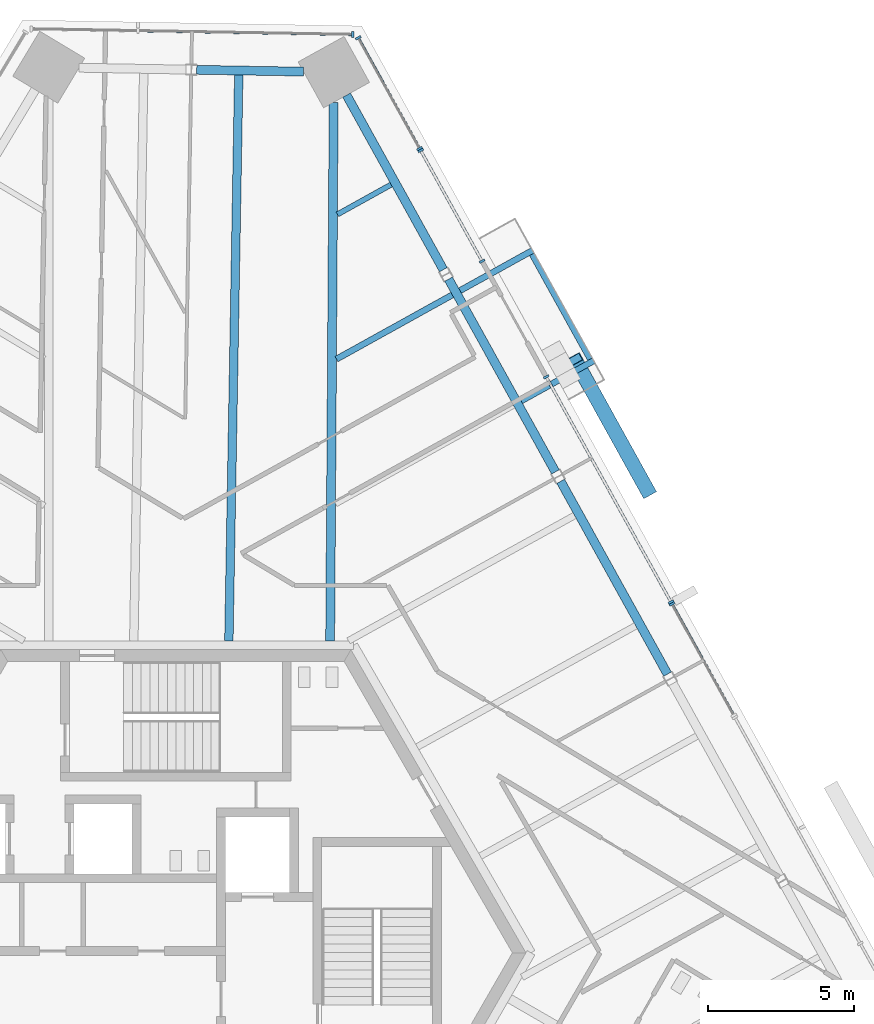
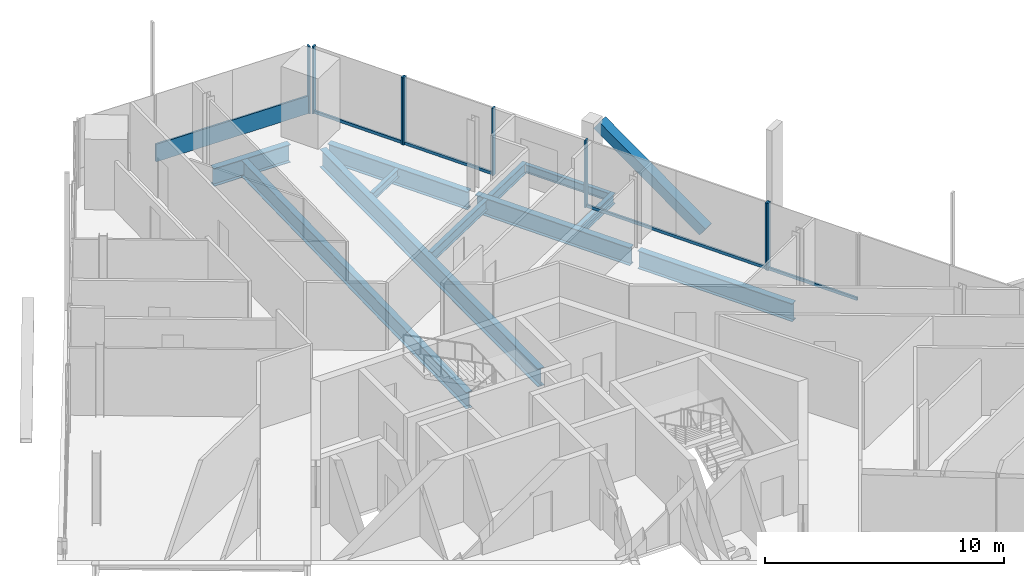
# One storey, part 9 of 21: 14 members, 11 beams, 5 elements without a shape of their own.
"""IFC4 building model written with IfcOpenShell, lengths in metres."""

import ifcopenshell
import ifcopenshell.guid

model = None  # the IFC model being written
_history = None  # IfcOwnerHistory: only IFC2X3 demands one
_inside = {}  # id of a spatial element -> (the spatial element, [elements in it])
_under = {}  # id of a project, library or spatial element -> (it, [spatial elements below it])
_declared = {}  # id of a project -> (the project, [libraries it declares])
_typed = {}  # id of a type object -> (the type object, [elements of that type])
_made_of = {}  # id of a material, layer set ... -> (it, [elements and type objects made of it])


def new_model(schema):
    """Start an empty IFC model of exactly this schema.

    Asked for "IFC4X3", IfcOpenShell would pick the latest addendum, in which some entities
    have other attributes; the version numbers below select the first issue.
    IFC2X3 requires an IfcOwnerHistory on every rooted entity: one is made here for all.
    """
    global model, _history
    if schema == "IFC4X3":
        model = ifcopenshell.file(schema_version=(4, 3, 0, 0))
    else:
        model = ifcopenshell.file(schema=schema)
    _inside.clear()
    _under.clear()
    _declared.clear()
    _typed.clear()
    _made_of.clear()
    _history = None
    if model.schema == "IFC2X3":
        org = make("IfcOrganization", Name="unknown")
        user = make(
            "IfcPersonAndOrganization",
            ThePerson=make("IfcPerson", FamilyName="unknown"),
            TheOrganization=org,
        )
        app = make(
            "IfcApplication",
            ApplicationDeveloper=org,
            Version="unknown",
            ApplicationFullName="unknown",
            ApplicationIdentifier="unknown",
        )
        _history = make(
            "IfcOwnerHistory",
            OwningUser=user,
            OwningApplication=app,
            ChangeAction="ADDED",
            CreationDate=0,
        )
    return model


def make(cls, **values):
    """One entity of the class cls with the attributes given. An attribute that is None is left unset."""
    return model.create_entity(
        cls, **{name: value for name, value in values.items() if value is not None}
    )


def rooted(cls, **values):
    """An entity with a GlobalId (a new one), such as an element, a storey or a relation."""
    return make(cls, GlobalId=ifcopenshell.guid.new(), OwnerHistory=_history, **values)


def si_unit(unit_type, name, prefix=None):
    """IfcSIUnit, for example si_unit("LENGTHUNIT", "METRE", prefix="MILLI")."""
    return make("IfcSIUnit", UnitType=unit_type, Prefix=prefix, Name=name)


def assignment(units):
    """IfcUnitAssignment: the units of a project."""
    return None if units is None else make("IfcUnitAssignment", Units=units)


def point(xyz):
    """IfcCartesianPoint."""
    return None if xyz is None else make("IfcCartesianPoint", Coordinates=xyz)


def direction(xyz):
    """IfcDirection."""
    return None if xyz is None else make("IfcDirection", DirectionRatios=xyz)


def frame(location, z_axis=None, x_axis=None):
    """IfcAxis2Placement3D, a coordinate frame: its origin and axes. An axis left out is left unset."""
    return make(
        "IfcAxis2Placement3D",
        Location=point(location),
        Axis=direction(z_axis),
        RefDirection=direction(x_axis),
    )


def frame_2d(location, x_axis=None):
    """IfcAxis2Placement2D, a coordinate frame in the plane: its origin and x axis."""
    return make(
        "IfcAxis2Placement2D", Location=point(location), RefDirection=direction(x_axis)
    )


def origin():
    """The frame at (0, 0, 0) with its axes left unset."""
    return frame((0.0, 0.0, 0.0))


def origin_2d():
    """The frame at (0, 0) in the plane with its x axis left unset."""
    return frame_2d((0.0, 0.0))


def place(relative_to, where):
    """IfcLocalPlacement: puts the frame where relative to a parent placement (None: the world)."""
    return make(
        "IfcLocalPlacement", PlacementRelTo=relative_to, RelativePlacement=where
    )


def context(
    kind, dimensions, precision=None, world=None, true_north=None, identifier=None
):
    """IfcGeometricRepresentationContext, for example the 3D "Model" context."""
    return make(
        "IfcGeometricRepresentationContext",
        ContextIdentifier=identifier,
        ContextType=kind,
        CoordinateSpaceDimension=dimensions,
        Precision=precision,
        WorldCoordinateSystem=world,
        TrueNorth=true_north,
    )


def subcontext(parent, identifier, kind, view, scale=None):
    """IfcGeometricRepresentationSubContext, for example "Body" below "Model"."""
    return make(
        "IfcGeometricRepresentationSubContext",
        ContextIdentifier=identifier,
        ContextType=kind,
        ParentContext=parent,
        TargetScale=scale,
        TargetView=view,
    )


def project(units=None, contexts=None):
    """IfcProject with its units and contexts."""
    return rooted(
        "IfcProject",
        Name="project",
        RepresentationContexts=contexts,
        UnitsInContext=assignment(units),
    )


def spatial(cls, under=None, at=None, **own):
    """A site, building, storey or space (cls), placed at a placement, below another one or the project."""
    s = rooted(cls, ObjectPlacement=at, **own)
    if under is not None:
        _under.setdefault(under.id(), (under, []))[1].append(s)
    return s


def profile(cls, at=None, kind="AREA", **sizes):
    """A parametric profile (cls). Its sizes go by their IFC names, for example OverallWidth=200.0."""
    return make(cls, ProfileType=kind, Position=at, **sizes)


def rectangle(**sizes):
    """IfcRectangleProfileDef."""
    return profile("IfcRectangleProfileDef", **sizes)


def hollow_rectangle(**sizes):
    """IfcRectangleHollowProfileDef."""
    return profile("IfcRectangleHollowProfileDef", **sizes)


def i_section(**sizes):
    """IfcIShapeProfileDef."""
    return profile("IfcIShapeProfileDef", **sizes)


def extrude(swept, where, along, depth):
    """IfcExtrudedAreaSolid: the profile swept, set in the frame where, extruded along a direction by depth."""
    return make(
        "IfcExtrudedAreaSolid",
        SweptArea=swept,
        Position=where,
        ExtrudedDirection=direction(along),
        Depth=depth,
    )


def shape(context_of_items, identifier, shape_type, items):
    """IfcShapeRepresentation: the items that make up one representation, for example the "Body"."""
    return make(
        "IfcShapeRepresentation",
        ContextOfItems=context_of_items,
        RepresentationIdentifier=identifier,
        RepresentationType=shape_type,
        Items=items,
    )


def source(mapping_origin, context_of_items, identifier, shape_type, items):
    """IfcRepresentationMap: a shape defined once, which mapped items show again and again."""
    return make(
        "IfcRepresentationMap",
        MappingOrigin=mapping_origin,
        MappedRepresentation=shape(context_of_items, identifier, shape_type, items),
    )


def transform(
    local_origin,
    x_axis=None,
    y_axis=None,
    z_axis=None,
    scale=None,
    scale2=None,
    scale3=None,
    uniform=True,
):
    """IfcCartesianTransformationOperator3D, or its non-uniform kind. x_axis, y_axis, z_axis: its Axis1, 2, 3."""
    if uniform:
        return make(
            "IfcCartesianTransformationOperator3D",
            Axis1=direction(x_axis),
            Axis2=direction(y_axis),
            LocalOrigin=point(local_origin),
            Scale=scale,
            Axis3=direction(z_axis),
        )
    return make(
        "IfcCartesianTransformationOperator3DnonUniform",
        Axis1=direction(x_axis),
        Axis2=direction(y_axis),
        LocalOrigin=point(local_origin),
        Scale=scale,
        Axis3=direction(z_axis),
        Scale2=scale2,
        Scale3=scale3,
    )


def mapped(mapping_source, mapping_target):
    """IfcMappedItem: shows the shape of a source again, moved by a transform."""
    return make(
        "IfcMappedItem", MappingSource=mapping_source, MappingTarget=mapping_target
    )


def material(Name=None, Category=None):
    """IfcMaterial."""
    return make("IfcMaterial", Name=Name, Category=Category)


def material_profile(
    of_material, cross_section, Name=None, Category=None, Priority=None
):
    """IfcMaterialProfile: a cross section and its material."""
    return make(
        "IfcMaterialProfile",
        Name=Name,
        Material=of_material,
        Profile=cross_section,
        Priority=Priority,
        Category=Category,
    )


def profile_set(profiles, Name=None, composite=None):
    """IfcMaterialProfileSet."""
    return make(
        "IfcMaterialProfileSet",
        Name=Name,
        MaterialProfiles=profiles,
        CompositeProfile=composite,
    )


def made_of(thing, what):
    """Note that an element or type object is made of a material, layer set ...; save() writes the relation."""
    if what is not None:
        _made_of.setdefault(what.id(), (what, []))[1].append(thing)
    return thing


def type_object(cls, material=None, **own):
    """A type object (cls), such as IfcWallType, which elements share."""
    return made_of(rooted(cls, **own), material)


def element(
    cls,
    number,
    at=None,
    inside=None,
    cuts=None,
    type_object=None,
    material=None,
    context=None,
    identifier="Body",
    shape_type=None,
    held_by="IfcProductDefinitionShape",
    body=None,
    shapes=None,
    **own,
):
    """One element of the class cls, such as IfcWall. Its Tag is "e" and its number.

    at: its placement. inside: the storey or other place that contains it. cuts: it is an
    opening in that element (IfcRelVoidsElement). A single representation is given by context,
    identifier, shape_type and body (its items); several are given by shapes. held_by: the class
    of the entity that holds the representations. save() writes the other relations.
    """
    e = rooted(cls, Tag="e%d" % number, ObjectPlacement=at, **own)
    if body is not None:
        shapes = [shape(context, identifier, shape_type, body)]
    if shapes is not None:
        e.Representation = make(held_by, Representations=shapes)
    if inside is not None:
        _inside.setdefault(inside.id(), (inside, []))[1].append(e)
    if cuts is not None:
        rooted(
            "IfcRelVoidsElement", RelatingBuildingElement=cuts, RelatedOpeningElement=e
        )
    if type_object is not None:
        _typed.setdefault(type_object.id(), (type_object, []))[1].append(e)
    return made_of(e, material)


def aggregate(whole, parts):
    """IfcRelAggregates: a whole, such as a stair, and the parts it consists of."""
    return rooted("IfcRelAggregates", RelatingObject=whole, RelatedObjects=parts)


def save(model, path):
    """Write the relations noted so far, then the file.

    IfcRelAggregates (storeys below a building ...), IfcRelContainedInSpatialStructure (elements
    in a storey), IfcRelDefinesByType, IfcRelAssociatesMaterial and IfcRelDeclares: one each for
    every whole, place, type object, material and project.
    """
    for whole, parts in _under.values():
        aggregate(whole, parts)
    for where, things in _inside.values():
        rooted(
            "IfcRelContainedInSpatialStructure",
            RelatedElements=things,
            RelatingStructure=where,
        )
    for kind, things in _typed.values():
        rooted("IfcRelDefinesByType", RelatedObjects=things, RelatingType=kind)
    for what, things in _made_of.values():
        rooted("IfcRelAssociatesMaterial", RelatedObjects=things, RelatingMaterial=what)
    for by, libraries in _declared.values():
        rooted("IfcRelDeclares", RelatingContext=by, RelatedDefinitions=libraries)
    model.write(path)


model = new_model("IFC4")

# Units and contexts
model_context = context("Model", 3, precision=1e-05, world=origin(), true_north=direction((0.0, 1.0)))
body_context = subcontext(model_context, "Body", "Model", "MODEL_VIEW")
ifc_project = project(units=[si_unit("LENGTHUNIT", "METRE"), si_unit("AREAUNIT", "SQUARE_METRE"), si_unit("VOLUMEUNIT", "CUBIC_METRE"), si_unit("PLANEANGLEUNIT", "RADIAN"), si_unit("MASSUNIT", "GRAM", prefix="KILO")], contexts=[model_context])

# Site, building, storey
site_placement = place(None, origin())
site = spatial("IfcSite", under=ifc_project, at=site_placement, CompositionType="ELEMENT")
building_placement = place(site_placement, origin())
building = spatial("IfcBuilding", under=site, at=building_placement, Name="Triune Harvest Tower", CompositionType="ELEMENT")
storey_placement = place(building_placement, frame((0.0, 0.0, 201.5)))
storey = spatial("IfcBuildingStorey", under=building, at=storey_placement, Name="L52", CompositionType="ELEMENT", Elevation=201.5)

# Curtain wall, member
ifc_material_1 = material(Name="Aluminium bronze anodised", Category="aluminium")
curtain_wall_type_1 = type_object("IfcCurtainWallType", Name="CW-10 Balcony window wall with insulated spandrel infill", PredefinedType="NOTDEFINED", material=ifc_material_1)
curtain_wall_1_placement = place(storey_placement, origin())
curtain_wall_1 = element("IfcCurtainWall", 1, at=curtain_wall_1_placement, inside=storey, type_object=curtain_wall_type_1, Name="CW-10 B5-F1 L52 run 2")
ifc_material_2 = material(Name="Aluminium bronze anodised", Category="aluminium")
ifc_material_profile_1 = material_profile(ifc_material_2, rectangle(XDim=0.090087890625, YDim=0.14990234375, at=origin_2d()), Name="TR-6 transom 90 x 150")
ifc_profile_set_1 = profile_set([ifc_material_profile_1], Name="Aluminium bronze anodised")
member_type_1 = type_object("IfcMemberType", Name="TR-6 transom 90 x 150", PredefinedType="USERDEFINED", material=ifc_profile_set_1)
member_1_placement = place(storey_placement, frame((10.479248046875, 23.744873046875, 0.074951171875), z_axis=(-0.484792254935, 0.874629332663, 0.0), x_axis=(-0.874629332663, -0.484792254935, 0.0)))
member_1 = element("IfcMember", 2, at=member_1_placement, type_object=member_type_1, Name="CW-10 transom B5-F1 2.1", ObjectType="TRANSOM", PredefinedType="USERDEFINED", context=body_context, shape_type="SweptSolid", body=[
    extrude(rectangle(XDim=0.090087890625, YDim=0.14990234375, at=origin_2d()), origin(), (0.0, 0.0, 1.0), 4.265380859375),
])

# Beams
ifc_material_3 = material(Name="Steel ASTM A992 Gr 50", Category="steel")
ifc_material_profile_2 = material_profile(ifc_material_3, i_section(OverallWidth=0.3046875, OverallDepth=0.914306640625, WebThickness=0.0166015625, FlangeThickness=0.02587890625, at=origin_2d()), Name="W36x160")
ifc_profile_set_2 = profile_set([ifc_material_profile_2], Name="Steel ASTM A992 Gr 50")
beam_type_1 = type_object("IfcBeamType", Name="SB-1 Spandrel beam W36x160", PredefinedType="SPANDREL", material=ifc_profile_set_2)
shared_shape_1 = source(origin(), body_context, "Body", "SweptSolid", [
    extrude(i_section(OverallWidth=0.3046875, OverallDepth=0.914306640625, WebThickness=0.0166015625, FlangeThickness=0.02587890625, at=origin_2d()), origin(), (0.0, 0.0, 1.0), 6.841796875),
])
beam_1_placement = place(storey_placement, frame((9.16943359375, 23.421875, -0.6171875), z_axis=(-0.484833781575, 0.87460631386, 0.0), x_axis=(-0.87460631386, -0.484833781575, 0.0)))
element("IfcBeam", 3, at=beam_1_placement, inside=storey, type_object=beam_type_1, Name="beam/L52/SB6", PredefinedType="SPANDREL", context=body_context, shape_type="MappedRepresentation", body=[
    mapped(shared_shape_1, transform((0.0, 0.0, 0.0), scale=1.0)),
])
shared_shape_2 = source(origin(), body_context, "Body", "SweptSolid", [
    extrude(i_section(OverallWidth=0.3046875, OverallDepth=0.914306640625, WebThickness=0.0166015625, FlangeThickness=0.02587890625, at=origin_2d()), origin(), (0.0, 0.0, 1.0), 7.556396484375),
])
for number, where, z_axis, x_axis, name in (
    (4, (16.855712890625, 9.555419921875, -0.6171875), (-0.484806011206, 0.874621707654, 0.0), (-0.874621707654, -0.484806011206, 0.0), "beam/L52/SB4"),
    (5, (13.0126953125, 16.488525390625, -0.6171875), (-0.484830726301, 0.874608007529, 0.0), (-0.874608007529, -0.484830726301, 0.0), "beam/L52/SB5"),
):
    element("IfcBeam", number, at=place(storey_placement, frame(where, z_axis=z_axis, x_axis=x_axis)), inside=storey, type_object=beam_type_1, Name=name, PredefinedType="SPANDREL", context=body_context, shape_type="MappedRepresentation", body=[
        mapped(shared_shape_2, transform((0.0, 0.0, 0.0), scale=1.0)),
    ])
shared_shape_3 = source(origin(), body_context, "Body", "SweptSolid", [
    extrude(i_section(OverallWidth=0.3046875, OverallDepth=0.914306640625, WebThickness=0.0166015625, FlangeThickness=0.02587890625, at=origin_2d()), origin(), (0.0, 0.0, 1.0), 3.66357421875),
])
beam_2_placement = place(storey_placement, frame((4.376953125, 30.211181640625, -0.6171875), z_axis=(-0.999847573959, 0.017459348466, 0.0), x_axis=(-0.017459348466, -0.999847573959, 0.0)))
element("IfcBeam", 6, at=beam_2_placement, inside=storey, type_object=beam_type_1, Name="beam/L52/SB7", PredefinedType="SPANDREL", context=body_context, shape_type="MappedRepresentation", body=[
    mapped(shared_shape_3, transform((0.0, 0.0, 0.0), scale=1.0)),
])
ifc_material_4 = material(Name="Steel ASTM A992 Gr 50", Category="steel")
ifc_material_profile_3 = material_profile(ifc_material_4, i_section(OverallWidth=0.307373046875, OverallDepth=0.922119140625, WebThickness=0.018310546875, FlangeThickness=0.030029296875, at=origin_2d()), Name="W36x182")
ifc_profile_set_3 = profile_set([ifc_material_profile_3], Name="Steel ASTM A992 Gr 50")
beam_type_2 = type_object("IfcBeamType", Name="HG-2 Hip girder W36x182", PredefinedType="BEAM", material=ifc_profile_set_3)
shared_shape_4 = source(origin(), body_context, "Body", "SweptSolid", [
    extrude(i_section(OverallWidth=0.307373046875, OverallDepth=0.922119140625, WebThickness=0.018310546875, FlangeThickness=0.030029296875, at=origin_2d()), origin(), (0.0, 0.0, 1.0), 18.463623046875),
])
beam_3_placement = place(storey_placement, frame((5.409423828125, 29.16015625, -0.62109375), z_axis=(-0.006518869748, -0.999978751943, 0.0), x_axis=(0.999978751943, -0.006518869748, 0.0)))
element("IfcBeam", 7, at=beam_3_placement, inside=storey, type_object=beam_type_2, Name="beam/L52/HG3", PredefinedType="BEAM", context=body_context, shape_type="MappedRepresentation", body=[
    mapped(shared_shape_4, transform((0.0, 0.0, 0.0), scale=1.0)),
])
ifc_material_5 = material(Name="Steel ASTM A992 Gr 50", Category="steel")
ifc_material_profile_4 = material_profile(ifc_material_5, i_section(OverallWidth=0.2099609375, OverallDepth=0.535888671875, WebThickness=0.010986328125, FlangeThickness=0.017333984375, at=origin_2d()), Name="W21x68")
ifc_profile_set_4 = profile_set([ifc_material_profile_4], Name="Steel ASTM A992 Gr 50")
beam_type_3 = type_object("IfcBeamType", Name="JT-2 Floor joist W21x68", PredefinedType="JOIST", material=ifc_profile_set_4)
shared_shape_5 = source(origin(), body_context, "Body", "SweptSolid", [
    extrude(i_section(OverallWidth=0.2099609375, OverallDepth=0.535888671875, WebThickness=0.010986328125, FlangeThickness=0.017333984375, at=origin_2d()), origin(), (0.0, 0.0, 1.0), 4.538818359375),
])
beam_4_placement = place(storey_placement, frame((9.475341796875, 22.555419921875, -0.427978515625), z_axis=(-0.874621193693, -0.484806938423, 0.0), x_axis=(0.484806938423, -0.874621193693, 0.0)))
element("IfcBeam", 8, at=beam_4_placement, inside=storey, type_object=beam_type_3, Name="beam/L52/JT9", PredefinedType="JOIST", context=body_context, shape_type="MappedRepresentation", body=[
    mapped(shared_shape_5, transform((0.0, 0.0, 0.0), scale=1.0)),
])
ifc_material_6 = material(Name="Steel ASTM A992 Gr 50", Category="steel")
ifc_material_profile_5 = material_profile(ifc_material_6, i_section(OverallWidth=0.180908203125, OverallDepth=0.41650390625, WebThickness=0.010986328125, FlangeThickness=0.01806640625, at=origin_2d()), Name="W16x57")
ifc_profile_set_5 = profile_set([ifc_material_profile_5], Name="Steel ASTM A992 Gr 50")
beam_type_4 = type_object("IfcBeamType", Name="JT-1 Floor joist W16x57", PredefinedType="JOIST", material=ifc_profile_set_5)
shared_shape_6 = source(origin(), body_context, "Body", "SweptSolid", [
    extrude(i_section(OverallWidth=0.180908203125, OverallDepth=0.41650390625, WebThickness=0.010986328125, FlangeThickness=0.01806640625, at=origin_2d()), origin(), (0.0, 0.0, 1.0), 2.10498046875),
])
beam_5_placement = place(storey_placement, frame((7.379150390625, 26.33740234375, -0.368408203125), z_axis=(-0.874621898411, -0.484805667067, 0.0), x_axis=(0.484805667067, -0.874621898411, 0.0)))
element("IfcBeam", 9, at=beam_5_placement, inside=storey, type_object=beam_type_4, Name="beam/L52/JT10", PredefinedType="JOIST", context=body_context, shape_type="MappedRepresentation", body=[
    mapped(shared_shape_6, transform((0.0, 0.0, 0.0), scale=1.0)),
])
ifc_material_7 = material(Name="Steel ASTM A992 Gr 50", Category="steel")
ifc_material_profile_6 = material_profile(ifc_material_7, i_section(OverallWidth=0.2919921875, OverallDepth=0.8408203125, WebThickness=0.0146484375, FlangeThickness=0.021728515625, at=origin_2d()), Name="W33x130")
ifc_profile_set_6 = profile_set([ifc_material_profile_6], Name="Steel ASTM A992 Gr 50")
beam_type_5 = type_object("IfcBeamType", Name="JT-6 Floor joist W33x130", PredefinedType="JOIST", material=ifc_profile_set_6)
shared_shape_7 = source(origin(), body_context, "Body", "SweptSolid", [
    extrude(i_section(OverallWidth=0.2919921875, OverallDepth=0.8408203125, WebThickness=0.0146484375, FlangeThickness=0.021728515625, at=origin_2d()), origin(), (0.0, 0.0, 1.0), 19.403564453125),
])
beam_6_placement = place(storey_placement, frame((2.155029296875, 30.09765625, -0.580322265625), z_axis=(-0.017451567023, -0.999847709808, 0.0), x_axis=(0.999847709808, -0.017451567023, 0.0)))
element("IfcBeam", 10, at=beam_6_placement, inside=storey, type_object=beam_type_5, Name="beam/L52/JT11", PredefinedType="JOIST", context=body_context, shape_type="MappedRepresentation", body=[
    mapped(shared_shape_7, transform((0.0, 0.0, 0.0), scale=1.0)),
])

# Member
ifc_material_8 = material(Name="Steel ASTM A572 Gr 50", Category="steel")
ifc_material_profile_7 = material_profile(ifc_material_8, hollow_rectangle(XDim=0.5, YDim=0.5, WallThickness=0.030029296875, at=origin_2d()), Name="Box 500x500x30")
ifc_profile_set_7 = profile_set([ifc_material_profile_7], Name="Steel ASTM A572 Gr 50")
member_type_2 = type_object("IfcMemberType", Name="BR-3 Brace Box 500x500x30", PredefinedType="BRACE", material=ifc_profile_set_7)
shared_shape_8 = source(origin(), body_context, "Body", "SweptSolid", [
    extrude(hollow_rectangle(XDim=0.5, YDim=0.5, WallThickness=0.030029296875, at=origin_2d()), origin(), (0.0, 0.0, 1.0), 6.302978515625),
])
member_2_placement = place(storey_placement, frame((16.190673828125, 15.81298828125, 0.0), z_axis=(-0.397957445463, 0.717903766226, 0.571177777963), x_axis=(-0.874610982048, -0.484825360395, 0.0)))
element("IfcMember", 11, at=member_2_placement, inside=storey, type_object=member_type_2, Name="brace/B5-F1/d1/7", PredefinedType="BRACE", context=body_context, shape_type="MappedRepresentation", body=[
    mapped(shared_shape_8, transform((0.0, 0.0, 0.0), scale=1.0)),
])

# Curtain wall, member
ifc_material_9 = material(Name="Aluminium bronze anodised", Category="aluminium")
curtain_wall_type_2 = type_object("IfcCurtainWallType", Name="CW-1 Tower stick curtain wall", PredefinedType="NOTDEFINED", material=ifc_material_9)
curtain_wall_2_placement = place(storey_placement, origin())
curtain_wall_2 = element("IfcCurtainWall", 12, at=curtain_wall_2_placement, inside=storey, type_object=curtain_wall_type_2, Name="CW-1 B5-F2 L52 run 1")
ifc_material_10 = material(Name="Aluminium bronze anodised", Category="aluminium")
ifc_material_profile_8 = material_profile(ifc_material_10, rectangle(XDim=0.199951171875, YDim=0.074951171875, at=origin_2d()), Name="MU-1 mullion 75 x 200")
ifc_profile_set_8 = profile_set([ifc_material_profile_8], Name="Aluminium bronze anodised")
member_type_3 = type_object("IfcMemberType", Name="MU-1 mullion 75 x 200", PredefinedType="MULLION", material=ifc_profile_set_8)
shared_shape_9 = source(origin(), body_context, "Body", "SweptSolid", [
    extrude(rectangle(XDim=0.199951171875, YDim=0.074951171875, at=origin_2d()), origin(), (0.0, 0.0, 1.0), 3.43994140625),
])
member_3_placement = place(storey_placement, frame((6.06298828125, 31.484130859375, 0.0), z_axis=(0.0, 0.0, 1.0), x_axis=(-0.017446318452, -0.999847801404, 0.0)))
member_3 = element("IfcMember", 13, at=member_3_placement, type_object=member_type_3, Name="CW-1 mullion B5-F2 1.1", PredefinedType="MULLION", context=body_context, shape_type="MappedRepresentation", body=[
    mapped(shared_shape_9, transform((0.0, 0.0, 0.0), scale=1.0)),
])

ifc_material_11 = material(Name="Aluminium bronze anodised", Category="aluminium")
curtain_wall_type_3 = type_object("IfcCurtainWallType", Name="CW-6 Balcony window wall", PredefinedType="NOTDEFINED", material=ifc_material_11)
curtain_wall_3_placement = place(storey_placement, origin())
curtain_wall_3 = element("IfcCurtainWall", 14, at=curtain_wall_3_placement, inside=storey, type_object=curtain_wall_type_3, Name="CW-6 B5-F1 L52 run 2001")
ifc_material_12 = material(Name="Aluminium bronze anodised", Category="aluminium")
ifc_material_profile_9 = material_profile(ifc_material_12, rectangle(XDim=0.199951171875, YDim=0.074951171875, at=origin_2d()), Name="MU-6 mullion 75 x 200")
ifc_profile_set_9 = profile_set([ifc_material_profile_9], Name="Aluminium bronze anodised")
member_type_4 = type_object("IfcMemberType", Name="MU-6 mullion 75 x 200", PredefinedType="MULLION", material=ifc_profile_set_9)
shared_shape_10 = source(origin(), body_context, "Body", "SweptSolid", [
    extrude(rectangle(XDim=0.199951171875, YDim=0.074951171875, at=origin_2d()), origin(), (0.0, 0.0, 1.0), 3.43994140625),
])
member_4_placement = place(storey_placement, frame((17.010498046875, 11.9619140625, 0.0), z_axis=(0.0, 0.0, 1.0), x_axis=(-0.874624386677, -0.484801178041, 0.0)))
member_4 = element("IfcMember", 15, at=member_4_placement, type_object=member_type_4, Name="CW-6 mullion B5-F1 2001.2", PredefinedType="MULLION", context=body_context, shape_type="MappedRepresentation", body=[
    mapped(shared_shape_10, transform((0.0, 0.0, 0.0), scale=1.0)),
])

# Curtain wall, members
curtain_wall_4_placement = place(storey_placement, origin())
curtain_wall_4 = element("IfcCurtainWall", 16, at=curtain_wall_4_placement, inside=storey, type_object=curtain_wall_type_1, Name="CW-10 B5-F1 L52 run 3001")
member_5_placement = place(storey_placement, frame((16.97412109375, 12.027587890625, 0.0), z_axis=(0.0, 0.0, 1.0), x_axis=(-0.874617611635, -0.484813400617, 0.0)))
member_5 = element("IfcMember", 17, at=member_5_placement, type_object=member_type_4, Name="CW-10 mullion B5-F1 3001.1", PredefinedType="MULLION", context=body_context, shape_type="MappedRepresentation", body=[
    mapped(shared_shape_10, transform((0.0, 0.0, 0.0), scale=1.0)),
])
member_6_placement = place(storey_placement, frame((12.6962890625, 19.7451171875, 0.0), z_axis=(0.0, 0.0, 1.0), x_axis=(-0.874617611635, -0.484813400617, 0.0)))
member_6 = element("IfcMember", 18, at=member_6_placement, type_object=member_type_4, Name="CW-10 mullion B5-F1 3001.3", PredefinedType="MULLION", context=body_context, shape_type="MappedRepresentation", body=[
    mapped(shared_shape_10, transform((0.0, 0.0, 0.0), scale=1.0)),
])

# Member
member_7_placement = place(storey_placement, frame((10.497314453125, 23.7119140625, 0.0), z_axis=(0.0, 0.0, 1.0), x_axis=(-0.874624276417, -0.48480137696, 0.0)))
member_7 = element("IfcMember", 19, at=member_7_placement, type_object=member_type_4, Name="CW-10 mullion B5-F1 2.1", PredefinedType="MULLION", context=body_context, shape_type="MappedRepresentation", body=[
    mapped(shared_shape_10, transform((0.0, 0.0, 0.0), scale=1.0)),
])

member_8_placement = place(storey_placement, frame((8.39306640625, 27.50830078125, 0.0), z_axis=(0.0, 0.0, 1.0), x_axis=(-0.874624276417, -0.48480137696, 0.0)))
member_8 = element("IfcMember", 20, at=member_8_placement, type_object=member_type_4, Name="CW-10 mullion B5-F1 2.2", PredefinedType="MULLION", context=body_context, shape_type="MappedRepresentation", body=[
    mapped(shared_shape_10, transform((0.0, 0.0, 0.0), scale=1.0)),
])

aggregate(curtain_wall_1, [member_7, member_8, member_1])

# Curtain wall, members
curtain_wall_5_placement = place(storey_placement, origin())
curtain_wall_5 = element("IfcCurtainWall", 21, at=curtain_wall_5_placement, inside=storey, type_object=curtain_wall_type_3, Name="CW-6 B5-F1 L52 run 1002")
member_9_placement = place(storey_placement, frame((8.356689453125, 27.573974609375, 0.0), z_axis=(0.0, 0.0, 1.0), x_axis=(-0.874616398502, -0.484815589138, 0.0)))
member_9 = element("IfcMember", 22, at=member_9_placement, type_object=member_type_4, Name="CW-6 mullion B5-F1 1002.1", PredefinedType="MULLION", context=body_context, shape_type="MappedRepresentation", body=[
    mapped(shared_shape_10, transform((0.0, 0.0, 0.0), scale=1.0)),
])
member_10_placement = place(storey_placement, frame((6.252197265625, 31.370361328125, 0.0), z_axis=(0.0, 0.0, 1.0), x_axis=(-0.874616398502, -0.484815589138, 0.0)))
member_10 = element("IfcMember", 23, at=member_10_placement, type_object=member_type_4, Name="CW-6 mullion B5-F1 1002.2", PredefinedType="MULLION", context=body_context, shape_type="MappedRepresentation", body=[
    mapped(shared_shape_10, transform((0.0, 0.0, 0.0), scale=1.0)),
])

# Member
ifc_material_13 = material(Name="Aluminium bronze anodised", Category="aluminium")
ifc_material_profile_10 = material_profile(ifc_material_13, rectangle(XDim=0.090087890625, YDim=0.89990234375, at=origin_2d()), Name="TR-1 transom 90 x 900")
ifc_profile_set_10 = profile_set([ifc_material_profile_10], Name="Aluminium bronze anodised")
member_type_5 = type_object("IfcMemberType", Name="TR-1 transom 90 x 900", PredefinedType="USERDEFINED", material=ifc_profile_set_10)
shared_shape_11 = source(origin(), body_context, "Body", "SweptSolid", [
    extrude(rectangle(XDim=0.090087890625, YDim=0.89990234375, at=origin_2d()), origin(), (0.0, 0.0, 1.0), 7.287841796875),
])
member_11_placement = place(storey_placement, frame((6.025634765625, 31.48486328125, 0.449951171875), z_axis=(-0.999848258084, 0.017420126456, 0.0), x_axis=(-0.017420126456, -0.999848258084, 0.0)))
member_11 = element("IfcMember", 24, at=member_11_placement, type_object=member_type_5, Name="CW-1 transom B5-F2 1.1", ObjectType="TRANSOM", PredefinedType="USERDEFINED", context=body_context, shape_type="MappedRepresentation", body=[
    mapped(shared_shape_11, transform((0.0, 0.0, 0.0), scale=1.0)),
])

aggregate(curtain_wall_2, [member_3, member_11])

shared_shape_12 = source(origin(), body_context, "Body", "SweptSolid", [
    extrude(rectangle(XDim=0.090087890625, YDim=0.14990234375, at=origin_2d()), origin(), (0.0, 0.0, 1.0), 8.748779296875),
])
member_12_placement = place(storey_placement, frame((16.9560546875, 12.060302734375, 0.074951171875), z_axis=(-0.484806326638, 0.874621532808, 0.0), x_axis=(-0.874621532808, -0.484806326638, 0.0)))
member_12 = element("IfcMember", 25, at=member_12_placement, type_object=member_type_1, Name="CW-10 transom B5-F1 3001.1", ObjectType="TRANSOM", PredefinedType="USERDEFINED", context=body_context, shape_type="MappedRepresentation", body=[
    mapped(shared_shape_12, transform((0.0, 0.0, 0.0), scale=1.0)),
])

aggregate(curtain_wall_4, [member_5, member_6, member_12])

# Beams
ifc_material_14 = material(Name="Steel ASTM A992 Gr 50", Category="steel")
ifc_material_profile_11 = material_profile(ifc_material_14, i_section(OverallWidth=0.2099609375, OverallDepth=0.535888671875, WebThickness=0.010986328125, FlangeThickness=0.017333984375, at=origin_2d()), Name="W21x68")
ifc_profile_set_11 = profile_set([ifc_material_profile_11], Name="Steel ASTM A992 Gr 50")
beam_type_6 = type_object("IfcBeamType", Name="BJ-2 Balcony cantilever joist W21x68", PredefinedType="JOIST", material=ifc_profile_set_11)
shared_shape_13 = source(origin(), body_context, "Body", "SweptSolid", [
    extrude(i_section(OverallWidth=0.2099609375, OverallDepth=0.535888671875, WebThickness=0.010986328125, FlangeThickness=0.017333984375, at=origin_2d()), origin(), (0.0, 0.0, 1.0), 2.843505859375),
])
for number, where, z_axis, x_axis, name in (
    (26, (9.741943359375, 22.703369140625, -0.427978515625), (0.874646876072, 0.484760602955, 0.0), (-0.484760602955, 0.874646876072, 0.0), "Balcony cantilever joist B5-F1 L52.9a"),
    (27, (11.83837890625, 18.92138671875, -0.427978515625), (0.874590288159, 0.484862689695, 0.0), (-0.484862689695, 0.874590288159, 0.0), "Balcony cantilever joist B5-F1 L52.9b"),
):
    element("IfcBeam", number, at=place(storey_placement, frame(where, z_axis=z_axis, x_axis=x_axis)), inside=storey, type_object=beam_type_6, Name=name, PredefinedType="JOIST", context=body_context, shape_type="MappedRepresentation", body=[
        mapped(shared_shape_13, transform((0.0, 0.0, 0.0), scale=1.0)),
    ])
ifc_material_15 = material(Name="Steel ASTM A992 Gr 50", Category="steel")
ifc_material_profile_12 = material_profile(ifc_material_15, i_section(OverallWidth=0.180908203125, OverallDepth=0.41650390625, WebThickness=0.010986328125, FlangeThickness=0.01806640625, at=origin_2d()), Name="W16x57")
ifc_profile_set_12 = profile_set([ifc_material_profile_12], Name="Steel ASTM A992 Gr 50")
beam_type_7 = type_object("IfcBeamType", Name="BE-1 balcony edge beam W16x57", PredefinedType="BEAM", material=ifc_profile_set_12)
shared_shape_14 = source(origin(), body_context, "Body", "SweptSolid", [
    extrude(i_section(OverallWidth=0.180908203125, OverallDepth=0.41650390625, WebThickness=0.010986328125, FlangeThickness=0.01806640625, at=origin_2d()), origin(), (0.0, 0.0, 1.0), 4.114013671875),
])
beam_7_placement = place(storey_placement, frame((12.20068359375, 23.9462890625, -0.368408203125), z_axis=(0.484836548552, -0.874604779994, 0.0), x_axis=(0.874604779994, 0.484836548552, 0.0)))
element("IfcBeam", 28, at=beam_7_placement, inside=storey, type_object=beam_type_7, Name="Balcony edge beam B5-F1 L52.9", PredefinedType="BEAM", context=body_context, shape_type="MappedRepresentation", body=[
    mapped(shared_shape_14, transform((0.0, 0.0, 0.0), scale=1.0)),
])

# Member
shared_shape_15 = source(origin(), body_context, "Body", "SweptSolid", [
    extrude(rectangle(XDim=0.090087890625, YDim=0.14990234375, at=origin_2d()), origin(), (0.0, 0.0, 1.0), 4.299560546875),
])
member_13_placement = place(storey_placement, frame((19.113037109375, 8.168701171875, 0.074951171875), z_axis=(-0.484765212631, 0.874644321209, 0.0), x_axis=(-0.874644321209, -0.484765212631, 0.0)))
member_13 = element("IfcMember", 29, at=member_13_placement, type_object=member_type_1, Name="CW-6 transom B5-F1 2001.1", ObjectType="TRANSOM", PredefinedType="USERDEFINED", context=body_context, shape_type="MappedRepresentation", body=[
    mapped(shared_shape_15, transform((0.0, 0.0, 0.0), scale=1.0)),
])

aggregate(curtain_wall_3, [member_4, member_13])

shared_shape_16 = source(origin(), body_context, "Body", "SweptSolid", [
    extrude(rectangle(XDim=0.090087890625, YDim=0.14990234375, at=origin_2d()), origin(), (0.0, 0.0, 1.0), 4.265869140625),
])
member_14_placement = place(storey_placement, frame((8.338623046875, 27.606689453125, 0.074951171875), z_axis=(-0.484811768785, 0.874618516181, 0.0), x_axis=(-0.874618516181, -0.484811768785, 0.0)))
member_14 = element("IfcMember", 30, at=member_14_placement, type_object=member_type_1, Name="CW-6 transom B5-F1 1002.1", ObjectType="TRANSOM", PredefinedType="USERDEFINED", context=body_context, shape_type="MappedRepresentation", body=[
    mapped(shared_shape_16, transform((0.0, 0.0, 0.0), scale=1.0)),
])

aggregate(curtain_wall_5, [member_9, member_10, member_14])

save(model, "model.ifc")
